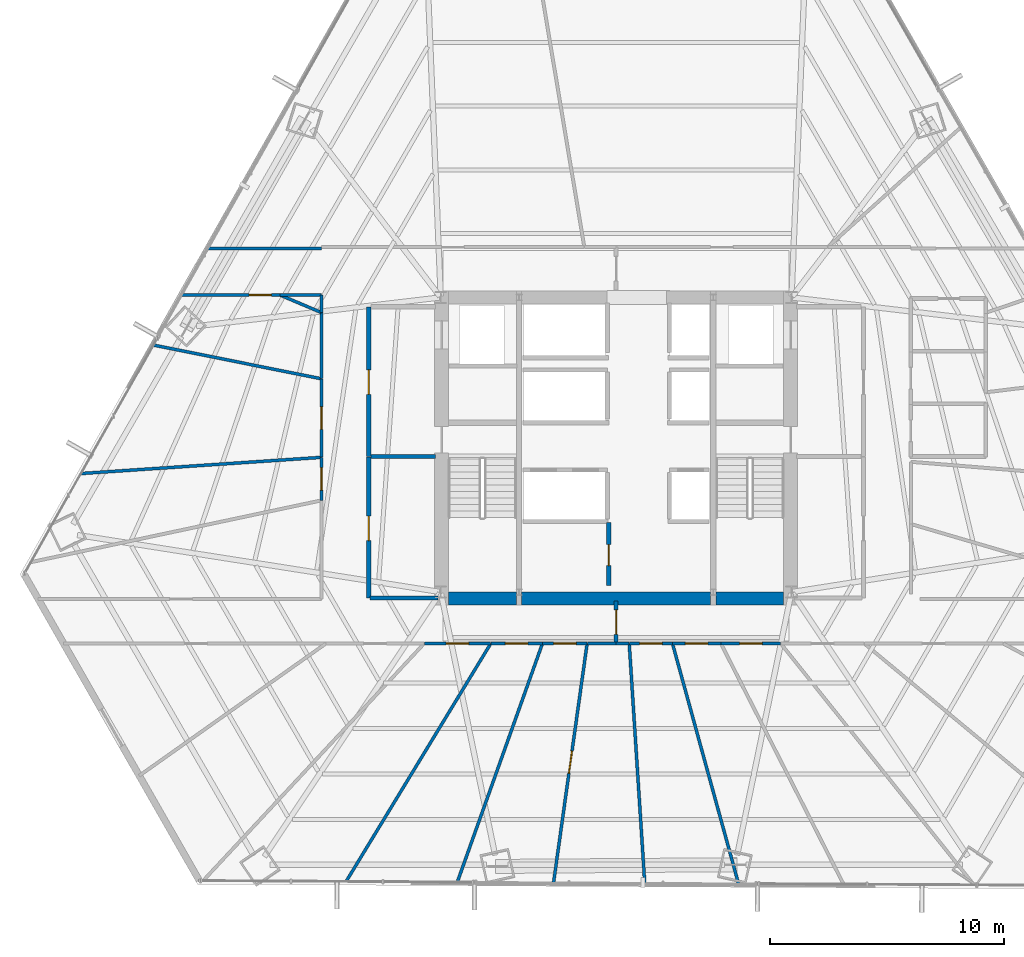
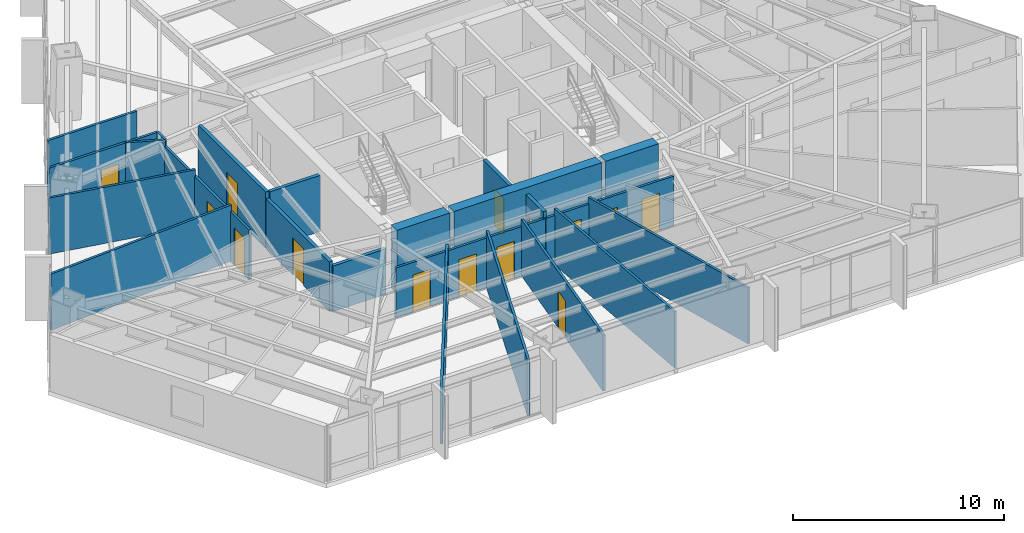
# One storey, part 33 of 39: 32 walls, 14 doors, 14 openings.
"""IFC4 building model written with IfcOpenShell, lengths in metres."""

from ifc_helpers import new_model, si_unit, direction, frame, frame_2d, origin, place, context, subcontext, project, spatial, rectangle, extrude, material, layer, layer_set, type_object, element, fill, save


model = new_model("IFC4")

# Units and contexts
model_context = context("Model", 3, precision=1e-05, world=origin(), true_north=direction((0.0, 1.0)))
body_context = subcontext(model_context, "Body", "Model", "MODEL_VIEW")
ifc_project = project(units=[si_unit("LENGTHUNIT", "METRE"), si_unit("AREAUNIT", "SQUARE_METRE"), si_unit("VOLUMEUNIT", "CUBIC_METRE"), si_unit("PLANEANGLEUNIT", "RADIAN"), si_unit("MASSUNIT", "GRAM", prefix="KILO")], contexts=[model_context])

# Site, building, storey
site_placement = place(None, origin())
site = spatial("IfcSite", under=ifc_project, at=site_placement, CompositionType="ELEMENT")
building_placement = place(site_placement, origin())
building = spatial("IfcBuilding", under=site, at=building_placement, Name="Caelisora Broadcast Tower", CompositionType="ELEMENT")
storey_placement = place(building_placement, frame((0.0, 0.0, 71.39990234375)))
storey = spatial("IfcBuildingStorey", under=building, at=storey_placement, Name="L18", CompositionType="ELEMENT", Elevation=71.39990234375)

# Walls
ifc_material_1 = material(Name="Concrete 65 MPa (AS 3600 S65)", Category="concrete")
ifc_layer_1 = layer(ifc_material_1, 0.550048828125, Name="Concrete 65 MPa (AS 3600 S65)")
ifc_layer_set_1 = layer_set([ifc_layer_1], Name="Concrete 65 MPa (AS 3600 S65)")
wall_type_1 = type_object("IfcWallType", Name="CW4", PredefinedType="SHEAR", material=ifc_layer_set_1)
wall_1_placement = place(storey_placement, frame((30.840087890625, 17.125, 0.0), z_axis=(0.0, 0.0, 1.0), x_axis=(1.0, 0.0, 0.0)))
element("IfcWall", 1, at=wall_1_placement, inside=storey, type_object=wall_type_1, Name="L18 core shear wall CW4", PredefinedType="SHEAR", context=body_context, shape_type="SweptSolid", body=[
    extrude(rectangle(XDim=2.89990234375, YDim=0.550048828125, at=frame_2d((1.449951171875, 0.0))), origin(), (0.0, 0.0, 1.0), 3.650146484375),
])
wall_2_placement = place(storey_placement, frame((33.9599609375, 17.125, 0.0), z_axis=(0.0, 0.0, 1.0), x_axis=(1.0, 0.0, 0.0)))
element("IfcWall", 2, at=wall_2_placement, inside=storey, type_object=wall_type_1, Name="L18 core shear wall CW4", PredefinedType="SHEAR", context=body_context, shape_type="SweptSolid", body=[
    extrude(rectangle(XDim=8.080078125, YDim=0.550048828125, at=frame_2d((4.0400390625, 0.0))), origin(), (0.0, 0.0, 1.0), 3.650146484375),
])
wall_3_placement = place(storey_placement, frame((42.260009765625, 17.125, 0.0), z_axis=(0.0, 0.0, 1.0), x_axis=(1.0, 0.0, 0.0)))
element("IfcWall", 3, at=wall_3_placement, inside=storey, type_object=wall_type_1, Name="L18 core shear wall CW4", PredefinedType="SHEAR", context=body_context, shape_type="SweptSolid", body=[
    extrude(rectangle(XDim=2.89990234375, YDim=0.550048828125, at=frame_2d((1.449951171875, 0.0))), origin(), (0.0, 0.0, 1.0), 3.650146484375),
])

# Wall, opening, door
ifc_material_2 = material(Name="Fire-Rated Gypsum Shaft and Compartment Wall", Category="gypsum")
ifc_layer_2 = layer(ifc_material_2, 0.179931640625, Name="Fire-Rated Gypsum Shaft and Compartment Wall")
ifc_layer_set_2 = layer_set([ifc_layer_2], Name="Fire-Rated Gypsum Shaft and Compartment Wall")
wall_type_2 = type_object("IfcWallType", Name="PW2", PredefinedType="PARTITIONING", material=ifc_layer_set_2)
wall_4_placement = place(storey_placement, frame((27.419921875, 23.199951171875, 0.0), z_axis=(0.0, 0.0, 1.0), x_axis=(0.0, 1.0, 0.0)))
wall_4 = element("IfcWall", 4, at=wall_4_placement, inside=storey, type_object=wall_type_2, Name="L18 fire compartment wall PW2", PredefinedType="PARTITIONING", context=body_context, shape_type="SweptSolid", body=[
    extrude(rectangle(XDim=6.400146484375, YDim=0.179931640625, at=frame_2d((3.2001953125, 0.0))), origin(), (0.0, 0.0, 1.0), 3.25),
])
opening_1_placement = place(wall_4_placement, frame((2.64990234375, 0.0, 0.0)))
opening_1 = element("IfcOpeningElement", 5, at=opening_1_placement, cuts=wall_4, Name="Opening FD02", PredefinedType="OPENING", context=body_context, shape_type="SweptSolid", body=[
    extrude(rectangle(XDim=1.050048828125, YDim=2.14990234375, at=frame_2d((0.52490234375, 1.074951171875))), frame((0.0, 0.10205078125, 0.0), z_axis=(0.0, -1.0, 0.0), x_axis=(1.0, 0.0, 0.0)), (0.0, 0.0, 1.0), 0.203857421875),
])
ifc_material_3 = material(Name="Single-Leaf Steel Fire Lobby Door", Category="steel")
door_type_1 = type_object("IfcDoorType", Name="FD02", OperationType="NOTDEFINED", PredefinedType="DOOR", material=ifc_material_3)
door_1_placement = place(opening_1_placement, origin())
door_1 = element("IfcDoor", 6, at=door_1_placement, inside=storey, type_object=door_type_1, Name="L18 door FD02 (L18-DR-P01D1)", OperationType="SINGLE_SWING_LEFT", OverallHeight=2.14990234375, OverallWidth=1.050048828125, PredefinedType="DOOR", context=body_context, shape_type="SweptSolid", body=[
    extrude(rectangle(XDim=1.050048828125, YDim=2.14990234375, at=frame_2d((0.52490234375, 1.074951171875))), frame((0.0, 0.02490234375, 0.0), z_axis=(0.0, -1.0, 0.0), x_axis=(1.0, 0.0, 0.0)), (0.0, 0.0, 1.0), 0.050048828125),
])
fill(opening_1, door_1)

# Wall
wall_5_placement = place(storey_placement, frame((27.52001953125, 23.199951171875, 0.0), z_axis=(0.0, 0.0, 1.0), x_axis=(1.0, 0.0, 0.0)))
element("IfcWall", 7, at=wall_5_placement, inside=storey, type_object=wall_type_2, Name="L18 fire compartment wall PW2", PredefinedType="PARTITIONING", context=body_context, shape_type="SweptSolid", body=[
    extrude(rectangle(XDim=2.760009765625, YDim=0.179931640625, at=frame_2d((1.3798828125, 0.0))), origin(), (0.0, 0.0, 1.0), 3.25),
])

# Wall, opening, door
wall_6_placement = place(storey_placement, frame((37.679931640625, 17.679931640625, 0.0), z_axis=(0.0, 0.0, 1.0), x_axis=(0.0, 1.0, 0.0)))
wall_6 = element("IfcWall", 8, at=wall_6_placement, inside=storey, type_object=wall_type_2, Name="L18 fire compartment wall PW2", PredefinedType="PARTITIONING", context=body_context, shape_type="SweptSolid", body=[
    extrude(rectangle(XDim=2.699951171875, YDim=0.179931640625, at=frame_2d((1.35009765625, 0.0))), origin(), (0.0, 0.0, 1.0), 3.25),
])
opening_2_placement = place(wall_6_placement, frame((0.85009765625, 0.0, 0.0)))
opening_2 = element("IfcOpeningElement", 9, at=opening_2_placement, cuts=wall_6, Name="Opening FD03", PredefinedType="OPENING", context=body_context, shape_type="SweptSolid", body=[
    extrude(rectangle(XDim=0.89990234375, YDim=2.10009765625, at=frame_2d((0.449951171875, 1.050048828125))), frame((0.0, 0.10205078125, 0.0), z_axis=(0.0, -1.0, 0.0), x_axis=(1.0, 0.0, 0.0)), (0.0, 0.0, 1.0), 0.203857421875),
])
ifc_material_4 = material(Name="Single-Leaf Steel Riser Fire Access Door", Category="steel")
door_type_2 = type_object("IfcDoorType", Name="FD03", OperationType="NOTDEFINED", PredefinedType="DOOR", material=ifc_material_4)
door_2_placement = place(opening_2_placement, origin())
door_2 = element("IfcDoor", 10, at=door_2_placement, inside=storey, type_object=door_type_2, Name="L18 door FD03 (L18-DR-P11D1)", OperationType="SINGLE_SWING_LEFT", OverallHeight=2.10009765625, OverallWidth=0.89990234375, PredefinedType="DOOR", context=body_context, shape_type="SweptSolid", body=[
    extrude(rectangle(XDim=0.89990234375, YDim=2.10009765625, at=frame_2d((0.449951171875, 1.050048828125))), frame((0.0, 0.02490234375, 0.0), z_axis=(0.0, -1.0, 0.0), x_axis=(1.0, 0.0, 0.0)), (0.0, 0.0, 1.0), 0.050048828125),
])
fill(opening_2, door_2)

wall_7_placement = place(storey_placement, frame((27.419921875, 17.14990234375, 0.0), z_axis=(0.0, 0.0, 1.0), x_axis=(0.0, 1.0, 0.0)))
wall_7 = element("IfcWall", 11, at=wall_7_placement, inside=storey, type_object=wall_type_2, Name="L18 fire compartment wall PW2", PredefinedType="PARTITIONING", context=body_context, shape_type="SweptSolid", body=[
    extrude(rectangle(XDim=6.030029296875, YDim=0.179931640625, at=frame_2d((3.01513671875, 0.0))), origin(), (0.0, 0.0, 1.0), 2.87646484375),
])
opening_3_placement = place(wall_7_placement, frame((2.449951171875, 0.0, 0.0)))
opening_3 = element("IfcOpeningElement", 12, at=opening_3_placement, cuts=wall_7, Name="Opening FD02", PredefinedType="OPENING", context=body_context, shape_type="SweptSolid", body=[
    extrude(rectangle(XDim=1.050048828125, YDim=2.14990234375, at=frame_2d((0.52490234375, 1.074951171875))), frame((0.0, 0.10205078125, 0.0), z_axis=(0.0, -1.0, 0.0), x_axis=(1.0, 0.0, 0.0)), (0.0, 0.0, 1.0), 0.203857421875),
])
door_3_placement = place(opening_3_placement, origin())
door_3 = element("IfcDoor", 13, at=door_3_placement, inside=storey, type_object=door_type_1, Name="L18 door FD02 (L18-DR-P12D1)", OperationType="SINGLE_SWING_RIGHT", OverallHeight=2.14990234375, OverallWidth=1.050048828125, PredefinedType="DOOR", context=body_context, shape_type="SweptSolid", body=[
    extrude(rectangle(XDim=1.050048828125, YDim=2.14990234375, at=frame_2d((0.52490234375, 1.074951171875))), frame((0.0, 0.02490234375, 0.0), z_axis=(0.0, -1.0, 0.0), x_axis=(1.0, 0.0, 0.0)), (0.0, 0.0, 1.0), 0.050048828125),
])
fill(opening_3, door_3)

# Wall
wall_8_placement = place(storey_placement, frame((27.47998046875, 17.14990234375, 0.0), z_axis=(0.0, 0.0, 1.0), x_axis=(1.0, 0.0, 0.0)))
element("IfcWall", 14, at=wall_8_placement, inside=storey, type_object=wall_type_2, Name="L18 fire compartment wall PW2", PredefinedType="PARTITIONING", context=body_context, shape_type="SweptSolid", body=[
    extrude(rectangle(XDim=2.89990234375, YDim=0.179931640625, at=frame_2d((1.449951171875, 0.0))), origin(), (0.0, 0.0, 1.0), 2.6328125),
])

# Wall, opening, door
wall_9_placement = place(storey_placement, frame((38.0, 15.205078125, 0.0), z_axis=(0.0, 0.0, 1.0), x_axis=(0.0, 1.0, 0.0)))
wall_9 = element("IfcWall", 15, at=wall_9_placement, inside=storey, type_object=wall_type_2, Name="L18 fire compartment wall PW2", PredefinedType="PARTITIONING", context=body_context, shape_type="SweptSolid", body=[
    extrude(rectangle(XDim=1.81982421875, YDim=0.179931640625, at=frame_2d((0.909912109375, 0.0))), origin(), (0.0, 0.0, 1.0), 3.25),
])
opening_4_placement = place(wall_9_placement, frame((0.385009765625, 0.0, 0.0)))
opening_4 = element("IfcOpeningElement", 16, at=opening_4_placement, cuts=wall_9, Name="Opening FD02", PredefinedType="OPENING", context=body_context, shape_type="SweptSolid", body=[
    extrude(rectangle(XDim=1.050048828125, YDim=2.14990234375, at=frame_2d((0.52490234375, 1.074951171875))), frame((0.0, 0.10205078125, 0.0), z_axis=(0.0, -1.0, 0.0), x_axis=(1.0, 0.0, 0.0)), (0.0, 0.0, 1.0), 0.203857421875),
])
door_4_placement = place(opening_4_placement, origin())
door_4 = element("IfcDoor", 17, at=door_4_placement, inside=storey, type_object=door_type_1, Name="L18 door FD02 (L18-DR-P73D1)", OperationType="SINGLE_SWING_RIGHT", OverallHeight=2.14990234375, OverallWidth=1.050048828125, PredefinedType="DOOR", context=body_context, shape_type="SweptSolid", body=[
    extrude(rectangle(XDim=1.050048828125, YDim=2.14990234375, at=frame_2d((0.52490234375, 1.074951171875))), frame((0.0, 0.02490234375, 0.0), z_axis=(0.0, -1.0, 0.0), x_axis=(1.0, 0.0, 0.0)), (0.0, 0.0, 1.0), 0.050048828125),
])
fill(opening_4, door_4)

# Walls
ifc_material_5 = material(Name="Acoustic Steel-Stud Plasterboard Partition", Category="gypsum")
ifc_layer_3 = layer(ifc_material_5, 0.1298828125, Name="Acoustic Steel-Stud Plasterboard Partition")
ifc_layer_set_3 = layer_set([ifc_layer_3], Name="Acoustic Steel-Stud Plasterboard Partition")
wall_type_3 = type_object("IfcWallType", Name="PW3", PredefinedType="PARTITIONING", material=ifc_layer_set_3)
wall_10_placement = place(storey_placement, frame((26.447509765625, 5.014404296875, 0.0), z_axis=(0.0, 0.0, 1.0), x_axis=(0.519452848137, 0.854499115601, 0.0)))
element("IfcWall", 18, at=wall_10_placement, inside=storey, type_object=wall_type_3, Name="L18 internal partition PW3", PredefinedType="PARTITIONING", context=body_context, shape_type="SweptSolid", body=[
    extrude(rectangle(XDim=11.915283203125, YDim=0.1298828125, at=frame_2d((5.95751953125, 0.0))), origin(), (0.0, 0.0, 1.0), 3.25),
])
wall_11_placement = place(storey_placement, frame((31.205078125, 4.988525390625, 0.0), z_axis=(0.0, 0.0, 1.0), x_axis=(0.336142301308, 0.941811208933, 0.0)))
element("IfcWall", 19, at=wall_11_placement, inside=storey, type_object=wall_type_3, Name="L18 internal partition PW3", PredefinedType="PARTITIONING", context=body_context, shape_type="SweptSolid", body=[
    extrude(rectangle(XDim=10.837158203125, YDim=0.1298828125, at=frame_2d((5.41845703125, 0.0))), origin(), (0.0, 0.0, 1.0), 3.25),
])
wall_12_placement = place(storey_placement, frame((40.410888671875, 15.195068359375, 0.0), z_axis=(0.0, 0.0, 1.0), x_axis=(0.265048349257, -0.964235123067, 0.0)))
element("IfcWall", 20, at=wall_12_placement, inside=storey, type_object=wall_type_3, Name="L18 internal partition PW3", PredefinedType="PARTITIONING", context=body_context, shape_type="SweptSolid", body=[
    extrude(rectangle(XDim=10.65283203125, YDim=0.1298828125, at=frame_2d((5.326416015625, 0.0))), origin(), (0.0, 0.0, 1.0), 3.25),
])

# Wall, opening, door
wall_13_placement = place(storey_placement, frame((35.323486328125, 4.96630859375, 0.0), z_axis=(0.0, 0.0, 1.0), x_axis=(0.138982121756, 0.990294890339, 0.0)))
wall_13 = element("IfcWall", 21, at=wall_13_placement, inside=storey, type_object=wall_type_3, Name="L18 internal partition PW3", PredefinedType="PARTITIONING", context=body_context, shape_type="SweptSolid", body=[
    extrude(rectangle(XDim=10.3291015625, YDim=0.1298828125, at=frame_2d((5.16455078125, 0.0))), origin(), (0.0, 0.0, 1.0), 3.25),
])
opening_5_placement = place(wall_13_placement, frame((4.73291015625, 0.0, 0.0)))
opening_5 = element("IfcOpeningElement", 22, at=opening_5_placement, cuts=wall_13, Name="Opening D01", PredefinedType="OPENING", context=body_context, shape_type="SweptSolid", body=[
    extrude(rectangle(XDim=0.9599609375, YDim=2.14990234375, at=frame_2d((0.47998046875, 1.074951171875))), frame((0.0, 0.076904296875, 0.0), z_axis=(0.0, -1.0, 0.0), x_axis=(1.0, 0.0, 0.0)), (0.0, 0.0, 1.0), 0.15380859375),
])
ifc_material_6 = material(Name="Solid-Core Timber Acoustic Office Door", Category="wood")
door_type_3 = type_object("IfcDoorType", Name="D01", OperationType="NOTDEFINED", PredefinedType="DOOR", material=ifc_material_6)
door_5_placement = place(opening_5_placement, origin())
door_5 = element("IfcDoor", 23, at=door_5_placement, inside=storey, type_object=door_type_3, Name="L18 door D01 (L18-DR-P43D1)", OperationType="SINGLE_SWING_RIGHT", OverallHeight=2.14990234375, OverallWidth=0.9599609375, PredefinedType="DOOR", context=body_context, shape_type="SweptSolid", body=[
    extrude(rectangle(XDim=0.9599609375, YDim=2.14990234375, at=frame_2d((0.47998046875, 1.074951171875))), frame((0.0, 0.02490234375, 0.0), z_axis=(0.0, -1.0, 0.0), x_axis=(1.0, 0.0, 0.0)), (0.0, 0.0, 1.0), 0.050048828125),
])
fill(opening_5, door_5)

# Walls
wall_14_placement = place(storey_placement, frame((15.108642578125, 22.46728515625, 0.0), z_axis=(0.0, 0.0, 1.0), x_axis=(0.997740719381, 0.067182266178, 0.0)))
element("IfcWall", 24, at=wall_14_placement, inside=storey, type_object=wall_type_3, Name="L18 internal partition PW3", PredefinedType="PARTITIONING", context=body_context, shape_type="SweptSolid", body=[
    extrude(rectangle(XDim=10.3095703125, YDim=0.1298828125, at=frame_2d((5.15478515625, 0.0))), origin(), (0.0, 0.0, 1.0), 3.25),
])
wall_15_placement = place(storey_placement, frame((38.56005859375, 15.195068359375, 0.0), z_axis=(0.0, 0.0, 1.0), x_axis=(0.064627377992, -0.99790946584, 0.0)))
element("IfcWall", 25, at=wall_15_placement, inside=storey, type_object=wall_type_3, Name="L18 internal partition PW3", PredefinedType="PARTITIONING", context=body_context, shape_type="SweptSolid", body=[
    extrude(rectangle(XDim=10.271484375, YDim=0.1298828125, at=frame_2d((5.1357421875, 0.0))), origin(), (0.0, 0.0, 1.0), 3.25),
])
wall_16_placement = place(storey_placement, frame((18.212890625, 27.96142578125, 0.0), z_axis=(0.0, 0.0, 1.0), x_axis=(0.980475419992, -0.196641681214, 0.0)))
element("IfcWall", 26, at=wall_16_placement, inside=storey, type_object=wall_type_3, Name="L18 internal partition PW3", PredefinedType="PARTITIONING", context=body_context, shape_type="SweptSolid", body=[
    extrude(rectangle(XDim=7.3251953125, YDim=0.1298828125, at=frame_2d((3.66259765625, 0.0))), origin(), (0.0, 0.0, 1.0), 3.25),
])
wall_17_placement = place(storey_placement, frame((20.55126953125, 32.10009765625, 0.0), z_axis=(0.0, 0.0, 1.0), x_axis=(1.0, 0.0, 0.0)))
element("IfcWall", 27, at=wall_17_placement, inside=storey, type_object=wall_type_3, Name="L18 internal partition PW3", PredefinedType="PARTITIONING", context=body_context, shape_type="SweptSolid", body=[
    extrude(rectangle(XDim=4.84375, YDim=0.1298828125, at=frame_2d((2.421875, 0.0))), origin(), (0.0, 0.0, 1.0), 3.25),
])

# Wall, opening, door
wall_18_placement = place(storey_placement, frame((19.421142578125, 30.10009765625, 0.0), z_axis=(0.0, 0.0, 1.0), x_axis=(1.0, 0.0, 0.0)))
wall_18 = element("IfcWall", 28, at=wall_18_placement, inside=storey, type_object=wall_type_3, Name="L18 internal partition PW3", PredefinedType="PARTITIONING", context=body_context, shape_type="SweptSolid", body=[
    extrude(rectangle(XDim=4.203857421875, YDim=0.1298828125, at=frame_2d((2.10205078125, 0.0))), origin(), (0.0, 0.0, 1.0), 3.25),
])
opening_6_placement = place(wall_18_placement, frame((2.8798828125, 0.0, 0.0)))
opening_6 = element("IfcOpeningElement", 29, at=opening_6_placement, cuts=wall_18, Name="Opening D01", PredefinedType="OPENING", context=body_context, shape_type="SweptSolid", body=[
    extrude(rectangle(XDim=0.9599609375, YDim=2.14990234375, at=frame_2d((0.47998046875, 1.074951171875))), frame((0.0, 0.076904296875, 0.0), z_axis=(0.0, -1.0, 0.0), x_axis=(1.0, 0.0, 0.0)), (0.0, 0.0, 1.0), 0.15380859375),
])
door_6_placement = place(opening_6_placement, origin())
door_6 = element("IfcDoor", 30, at=door_6_placement, inside=storey, type_object=door_type_3, Name="L18 door D01 (L18-DR-P56D1)", OperationType="SINGLE_SWING_RIGHT", OverallHeight=2.14990234375, OverallWidth=0.9599609375, PredefinedType="DOOR", context=body_context, shape_type="SweptSolid", body=[
    extrude(rectangle(XDim=0.9599609375, YDim=2.14990234375, at=frame_2d((0.47998046875, 1.074951171875))), frame((0.0, 0.02490234375, 0.0), z_axis=(0.0, -1.0, 0.0), x_axis=(1.0, 0.0, 0.0)), (0.0, 0.0, 1.0), 0.050048828125),
])
fill(opening_6, door_6)

wall_19_placement = place(storey_placement, frame((25.39990234375, 23.1650390625, 0.0), z_axis=(0.0, 0.0, 1.0), x_axis=(0.0, 1.0, 0.0)))
wall_19 = element("IfcWall", 31, at=wall_19_placement, inside=storey, type_object=wall_type_3, Name="L18 internal partition PW3", PredefinedType="PARTITIONING", context=body_context, shape_type="SweptSolid", body=[
    extrude(rectangle(XDim=3.349853515625, YDim=0.1298828125, at=frame_2d((1.6748046875, 0.0))), origin(), (0.0, 0.0, 1.0), 2.87646484375),
])
opening_7_placement = place(wall_19_placement, frame((1.195068359375, 0.0, 0.0)))
opening_7 = element("IfcOpeningElement", 32, at=opening_7_placement, cuts=wall_19, Name="Opening D01", PredefinedType="OPENING", context=body_context, shape_type="SweptSolid", body=[
    extrude(rectangle(XDim=0.9599609375, YDim=2.14990234375, at=frame_2d((0.47998046875, 1.074951171875))), frame((0.0, 0.076904296875, 0.0), z_axis=(0.0, -1.0, 0.0), x_axis=(1.0, 0.0, 0.0)), (0.0, 0.0, 1.0), 0.15380859375),
])
door_7_placement = place(opening_7_placement, origin())
door_7 = element("IfcDoor", 33, at=door_7_placement, inside=storey, type_object=door_type_3, Name="L18 door D01 (L18-DR-P61D1)", OperationType="SINGLE_SWING_LEFT", OverallHeight=2.14990234375, OverallWidth=0.9599609375, PredefinedType="DOOR", context=body_context, shape_type="SweptSolid", body=[
    extrude(rectangle(XDim=0.9599609375, YDim=2.14990234375, at=frame_2d((0.47998046875, 1.074951171875))), frame((0.0, 0.02490234375, 0.0), z_axis=(0.0, -1.0, 0.0), x_axis=(1.0, 0.0, 0.0)), (0.0, 0.0, 1.0), 0.050048828125),
])
fill(opening_7, door_7)

wall_20_placement = place(storey_placement, frame((29.794921875, 15.199951171875, 0.0), z_axis=(0.0, 0.0, 1.0), x_axis=(1.0, 0.0, 0.0)))
wall_20 = element("IfcWall", 34, at=wall_20_placement, inside=storey, type_object=wall_type_3, Name="L18 internal partition PW3", PredefinedType="PARTITIONING", context=body_context, shape_type="SweptSolid", body=[
    extrude(rectangle(XDim=2.840087890625, YDim=0.1298828125, at=frame_2d((1.419921875, 0.0))), origin(), (0.0, 0.0, 1.0), 2.87646484375),
])
opening_8_placement = place(wall_20_placement, frame((0.93994140625, 0.0, 0.0)))
opening_8 = element("IfcOpeningElement", 35, at=opening_8_placement, cuts=wall_20, Name="Opening D01", PredefinedType="OPENING", context=body_context, shape_type="SweptSolid", body=[
    extrude(rectangle(XDim=0.9599609375, YDim=2.14990234375, at=frame_2d((0.47998046875, 1.074951171875))), frame((0.0, 0.076904296875, 0.0), z_axis=(0.0, -1.0, 0.0), x_axis=(1.0, 0.0, 0.0)), (0.0, 0.0, 1.0), 0.15380859375),
])
door_8_placement = place(opening_8_placement, origin())
door_8 = element("IfcDoor", 36, at=door_8_placement, inside=storey, type_object=door_type_3, Name="L18 door D01 (L18-DR-P63D1)", OperationType="SINGLE_SWING_RIGHT", OverallHeight=2.14990234375, OverallWidth=0.9599609375, PredefinedType="DOOR", context=body_context, shape_type="SweptSolid", body=[
    extrude(rectangle(XDim=0.9599609375, YDim=2.14990234375, at=frame_2d((0.47998046875, 1.074951171875))), frame((0.0, 0.02490234375, 0.0), z_axis=(0.0, -1.0, 0.0), x_axis=(1.0, 0.0, 0.0)), (0.0, 0.0, 1.0), 0.050048828125),
])
fill(opening_8, door_8)

# Wall
wall_21_placement = place(storey_placement, frame((25.39990234375, 26.52490234375, 0.0), z_axis=(0.0, 0.0, 1.0), x_axis=(0.0, 1.0, 0.0)))
element("IfcWall", 37, at=wall_21_placement, inside=storey, type_object=wall_type_3, Name="L18 internal partition PW3", PredefinedType="PARTITIONING", context=body_context, shape_type="SweptSolid", body=[
    extrude(rectangle(XDim=2.820068359375, YDim=0.1298828125, at=frame_2d((1.41015625, 0.0))), origin(), (0.0, 0.0, 1.0), 2.87646484375),
])

# Wall, opening, door
wall_22_placement = place(storey_placement, frame((42.485107421875, 15.199951171875, 0.0), z_axis=(0.0, 0.0, 1.0), x_axis=(1.0, 0.0, 0.0)))
wall_22 = element("IfcWall", 38, at=wall_22_placement, inside=storey, type_object=wall_type_3, Name="L18 internal partition PW3", PredefinedType="PARTITIONING", context=body_context, shape_type="SweptSolid", body=[
    extrude(rectangle(XDim=2.5498046875, YDim=0.1298828125, at=frame_2d((1.27490234375, 0.0))), origin(), (0.0, 0.0, 1.0), 2.87646484375),
])
opening_9_placement = place(wall_22_placement, frame((0.794921875, 0.0, 0.0)))
opening_9 = element("IfcOpeningElement", 39, at=opening_9_placement, cuts=wall_22, Name="Opening D01", PredefinedType="OPENING", context=body_context, shape_type="SweptSolid", body=[
    extrude(rectangle(XDim=0.9599609375, YDim=2.14990234375, at=frame_2d((0.47998046875, 1.074951171875))), frame((0.0, 0.076904296875, 0.0), z_axis=(0.0, -1.0, 0.0), x_axis=(1.0, 0.0, 0.0)), (0.0, 0.0, 1.0), 0.15380859375),
])
door_9_placement = place(opening_9_placement, origin())
door_9 = element("IfcDoor", 40, at=door_9_placement, inside=storey, type_object=door_type_3, Name="L18 door D01 (L18-DR-P67D1)", OperationType="SINGLE_SWING_RIGHT", OverallHeight=2.14990234375, OverallWidth=0.9599609375, PredefinedType="DOOR", context=body_context, shape_type="SweptSolid", body=[
    extrude(rectangle(XDim=0.9599609375, YDim=2.14990234375, at=frame_2d((0.47998046875, 1.074951171875))), frame((0.0, 0.02490234375, 0.0), z_axis=(0.0, -1.0, 0.0), x_axis=(1.0, 0.0, 0.0)), (0.0, 0.0, 1.0), 0.050048828125),
])
fill(opening_9, door_9)

wall_23_placement = place(storey_placement, frame((32.64501953125, 15.199951171875, 0.0), z_axis=(0.0, 0.0, 1.0), x_axis=(1.0, 0.0, 0.0)))
wall_23 = element("IfcWall", 41, at=wall_23_placement, inside=storey, type_object=wall_type_3, Name="L18 internal partition PW3", PredefinedType="PARTITIONING", context=body_context, shape_type="SweptSolid", body=[
    extrude(rectangle(XDim=2.199951171875, YDim=0.1298828125, at=frame_2d((1.10009765625, 0.0))), origin(), (0.0, 0.0, 1.0), 2.87646484375),
])
opening_10_placement = place(wall_23_placement, frame((0.6201171875, 0.0, 0.0)))
opening_10 = element("IfcOpeningElement", 42, at=opening_10_placement, cuts=wall_23, Name="Opening D01", PredefinedType="OPENING", context=body_context, shape_type="SweptSolid", body=[
    extrude(rectangle(XDim=0.9599609375, YDim=2.14990234375, at=frame_2d((0.47998046875, 1.074951171875))), frame((0.0, 0.076904296875, 0.0), z_axis=(0.0, -1.0, 0.0), x_axis=(1.0, 0.0, 0.0)), (0.0, 0.0, 1.0), 0.15380859375),
])
door_10_placement = place(opening_10_placement, origin())
door_10 = element("IfcDoor", 43, at=door_10_placement, inside=storey, type_object=door_type_3, Name="L18 door D01 (L18-DR-P69D1)", OperationType="SINGLE_SWING_LEFT", OverallHeight=2.14990234375, OverallWidth=0.9599609375, PredefinedType="DOOR", context=body_context, shape_type="SweptSolid", body=[
    extrude(rectangle(XDim=0.9599609375, YDim=2.14990234375, at=frame_2d((0.47998046875, 1.074951171875))), frame((0.0, 0.02490234375, 0.0), z_axis=(0.0, -1.0, 0.0), x_axis=(1.0, 0.0, 0.0)), (0.0, 0.0, 1.0), 0.050048828125),
])
fill(opening_10, door_10)

wall_24_placement = place(storey_placement, frame((40.4150390625, 15.199951171875, 0.0), z_axis=(0.0, 0.0, 1.0), x_axis=(1.0, 0.0, 0.0)))
wall_24 = element("IfcWall", 44, at=wall_24_placement, inside=storey, type_object=wall_type_3, Name="L18 internal partition PW3", PredefinedType="PARTITIONING", context=body_context, shape_type="SweptSolid", body=[
    extrude(rectangle(XDim=2.06005859375, YDim=0.1298828125, at=frame_2d((1.030029296875, 0.0))), origin(), (0.0, 0.0, 1.0), 2.87646484375),
])
opening_11_placement = place(wall_24_placement, frame((0.550048828125, 0.0, 0.0)))
opening_11 = element("IfcOpeningElement", 45, at=opening_11_placement, cuts=wall_24, Name="Opening D01", PredefinedType="OPENING", context=body_context, shape_type="SweptSolid", body=[
    extrude(rectangle(XDim=0.9599609375, YDim=2.14990234375, at=frame_2d((0.47998046875, 1.074951171875))), frame((0.0, 0.076904296875, 0.0), z_axis=(0.0, -1.0, 0.0), x_axis=(1.0, 0.0, 0.0)), (0.0, 0.0, 1.0), 0.15380859375),
])
door_11_placement = place(opening_11_placement, origin())
door_11 = element("IfcDoor", 46, at=door_11_placement, inside=storey, type_object=door_type_3, Name="L18 door D01 (L18-DR-P70D1)", OperationType="SINGLE_SWING_RIGHT", OverallHeight=2.14990234375, OverallWidth=0.9599609375, PredefinedType="DOOR", context=body_context, shape_type="SweptSolid", body=[
    extrude(rectangle(XDim=0.9599609375, YDim=2.14990234375, at=frame_2d((0.47998046875, 1.074951171875))), frame((0.0, 0.02490234375, 0.0), z_axis=(0.0, -1.0, 0.0), x_axis=(1.0, 0.0, 0.0)), (0.0, 0.0, 1.0), 0.050048828125),
])
fill(opening_11, door_11)

# Wall
wall_25_placement = place(storey_placement, frame((23.635009765625, 30.097900390625, 0.0), z_axis=(0.0, 0.0, 1.0), x_axis=(0.920736167048, -0.390185738706, 0.0)))
element("IfcWall", 47, at=wall_25_placement, inside=storey, type_object=wall_type_3, Name="L18 internal partition PW3", PredefinedType="PARTITIONING", context=body_context, shape_type="SweptSolid", body=[
    extrude(rectangle(XDim=1.91162109375, YDim=0.1298828125, at=frame_2d((0.955810546875, 0.0))), origin(), (0.0, 0.0, 1.0), 3.25),
])

# Wall, opening, door
wall_26_placement = place(storey_placement, frame((34.85498046875, 15.199951171875, 0.0), z_axis=(0.0, 0.0, 1.0), x_axis=(1.0, 0.0, 0.0)))
wall_26 = element("IfcWall", 48, at=wall_26_placement, inside=storey, type_object=wall_type_3, Name="L18 internal partition PW3", PredefinedType="PARTITIONING", context=body_context, shape_type="SweptSolid", body=[
    extrude(rectangle(XDim=1.89990234375, YDim=0.1298828125, at=frame_2d((0.949951171875, 0.0))), origin(), (0.0, 0.0, 1.0), 2.87646484375),
])
opening_12_placement = place(wall_26_placement, frame((0.469970703125, 0.0, 0.0)))
opening_12 = element("IfcOpeningElement", 49, at=opening_12_placement, cuts=wall_26, Name="Opening D01", PredefinedType="OPENING", context=body_context, shape_type="SweptSolid", body=[
    extrude(rectangle(XDim=0.9599609375, YDim=2.14990234375, at=frame_2d((0.47998046875, 1.074951171875))), frame((0.0, 0.076904296875, 0.0), z_axis=(0.0, -1.0, 0.0), x_axis=(1.0, 0.0, 0.0)), (0.0, 0.0, 1.0), 0.15380859375),
])
door_12_placement = place(opening_12_placement, origin())
door_12 = element("IfcDoor", 50, at=door_12_placement, inside=storey, type_object=door_type_3, Name="L18 door D01 (L18-DR-P72D1)", OperationType="SINGLE_SWING_LEFT", OverallHeight=2.14990234375, OverallWidth=0.9599609375, PredefinedType="DOOR", context=body_context, shape_type="SweptSolid", body=[
    extrude(rectangle(XDim=0.9599609375, YDim=2.14990234375, at=frame_2d((0.47998046875, 1.074951171875))), frame((0.0, 0.02490234375, 0.0), z_axis=(0.0, -1.0, 0.0), x_axis=(1.0, 0.0, 0.0)), (0.0, 0.0, 1.0), 0.050048828125),
])
fill(opening_12, door_12)

wall_27_placement = place(storey_placement, frame((38.56494140625, 15.199951171875, 0.0), z_axis=(0.0, 0.0, 1.0), x_axis=(1.0, 0.0, 0.0)))
wall_27 = element("IfcWall", 51, at=wall_27_placement, inside=storey, type_object=wall_type_3, Name="L18 internal partition PW3", PredefinedType="PARTITIONING", context=body_context, shape_type="SweptSolid", body=[
    extrude(rectangle(XDim=1.840087890625, YDim=0.1298828125, at=frame_2d((0.919921875, 0.0))), origin(), (0.0, 0.0, 1.0), 2.87646484375),
])
opening_13_placement = place(wall_27_placement, frame((0.43994140625, 0.0, 0.0)))
opening_13 = element("IfcOpeningElement", 52, at=opening_13_placement, cuts=wall_27, Name="Opening D01", PredefinedType="OPENING", context=body_context, shape_type="SweptSolid", body=[
    extrude(rectangle(XDim=0.9599609375, YDim=2.14990234375, at=frame_2d((0.47998046875, 1.074951171875))), frame((0.0, 0.076904296875, 0.0), z_axis=(0.0, -1.0, 0.0), x_axis=(1.0, 0.0, 0.0)), (0.0, 0.0, 1.0), 0.15380859375),
])
door_13_placement = place(opening_13_placement, origin())
door_13 = element("IfcDoor", 53, at=door_13_placement, inside=storey, type_object=door_type_3, Name="L18 door D01 (L18-DR-P75D1)", OperationType="SINGLE_SWING_RIGHT", OverallHeight=2.14990234375, OverallWidth=0.9599609375, PredefinedType="DOOR", context=body_context, shape_type="SweptSolid", body=[
    extrude(rectangle(XDim=0.9599609375, YDim=2.14990234375, at=frame_2d((0.47998046875, 1.074951171875))), frame((0.0, 0.02490234375, 0.0), z_axis=(0.0, -1.0, 0.0), x_axis=(1.0, 0.0, 0.0)), (0.0, 0.0, 1.0), 0.050048828125),
])
fill(opening_13, door_13)

wall_28_placement = place(storey_placement, frame((25.39990234375, 21.324951171875, 0.0), z_axis=(0.0, 0.0, 1.0), x_axis=(0.0, 1.0, 0.0)))
wall_28 = element("IfcWall", 54, at=wall_28_placement, inside=storey, type_object=wall_type_3, Name="L18 internal partition PW3", PredefinedType="PARTITIONING", context=body_context, shape_type="SweptSolid", body=[
    extrude(rectangle(XDim=1.830078125, YDim=0.1298828125, at=frame_2d((0.9150390625, 0.0))), origin(), (0.0, 0.0, 1.0), 2.87646484375),
])
opening_14_placement = place(wall_28_placement, frame((0.43505859375, 0.0, 0.0)))
opening_14 = element("IfcOpeningElement", 55, at=opening_14_placement, cuts=wall_28, Name="Opening D01", PredefinedType="OPENING", context=body_context, shape_type="SweptSolid", body=[
    extrude(rectangle(XDim=0.9599609375, YDim=2.14990234375, at=frame_2d((0.47998046875, 1.074951171875))), frame((0.0, 0.076904296875, 0.0), z_axis=(0.0, -1.0, 0.0), x_axis=(1.0, 0.0, 0.0)), (0.0, 0.0, 1.0), 0.15380859375),
])
door_14_placement = place(opening_14_placement, origin())
door_14 = element("IfcDoor", 56, at=door_14_placement, inside=storey, type_object=door_type_3, Name="L18 door D01 (L18-DR-P76D1)", OperationType="SINGLE_SWING_LEFT", OverallHeight=2.14990234375, OverallWidth=0.9599609375, PredefinedType="DOOR", context=body_context, shape_type="SweptSolid", body=[
    extrude(rectangle(XDim=0.9599609375, YDim=2.14990234375, at=frame_2d((0.47998046875, 1.074951171875))), frame((0.0, 0.02490234375, 0.0), z_axis=(0.0, -1.0, 0.0), x_axis=(1.0, 0.0, 0.0)), (0.0, 0.0, 1.0), 0.050048828125),
])
fill(opening_14, door_14)

# Walls
wall_29_placement = place(storey_placement, frame((25.39501953125, 30.10009765625, 0.0), z_axis=(0.0, 0.0, 1.0), x_axis=(-1.0, 0.0, 0.0)))
element("IfcWall", 57, at=wall_29_placement, inside=storey, type_object=wall_type_3, Name="L18 internal partition PW3", PredefinedType="PARTITIONING", context=body_context, shape_type="SweptSolid", body=[
    extrude(rectangle(XDim=1.760009765625, YDim=0.1298828125, at=frame_2d((0.8798828125, 0.0))), origin(), (0.0, 0.0, 1.0), 3.25),
])
wall_30_placement = place(storey_placement, frame((36.764892578125, 15.199951171875, 0.0), z_axis=(0.0, 0.0, 1.0), x_axis=(1.0, 0.0, 0.0)))
element("IfcWall", 58, at=wall_30_placement, inside=storey, type_object=wall_type_3, Name="L18 internal partition PW3", PredefinedType="PARTITIONING", context=body_context, shape_type="SweptSolid", body=[
    extrude(rectangle(XDim=1.230224609375, YDim=0.1298828125, at=frame_2d((0.615234375, 0.0))), origin(), (0.0, 0.0, 1.0), 2.87646484375),
])
wall_31_placement = place(storey_placement, frame((25.39990234375, 29.35498046875, 0.0), z_axis=(0.0, 0.0, 1.0), x_axis=(0.0, 1.0, 0.0)))
element("IfcWall", 59, at=wall_31_placement, inside=storey, type_object=wall_type_3, Name="L18 internal partition PW3", PredefinedType="PARTITIONING", context=body_context, shape_type="SweptSolid", body=[
    extrude(rectangle(XDim=0.739990234375, YDim=0.1298828125, at=frame_2d((0.3701171875, 0.0))), origin(), (0.0, 0.0, 1.0), 3.25),
])
wall_32_placement = place(storey_placement, frame((38.0048828125, 15.199951171875, 0.0), z_axis=(0.0, 0.0, 1.0), x_axis=(1.0, 0.0, 0.0)))
element("IfcWall", 60, at=wall_32_placement, inside=storey, type_object=wall_type_3, Name="L18 internal partition PW3", PredefinedType="PARTITIONING", context=body_context, shape_type="SweptSolid", body=[
    extrude(rectangle(XDim=0.550048828125, YDim=0.1298828125, at=frame_2d((0.27490234375, 0.0))), origin(), (0.0, 0.0, 1.0), 2.87646484375),
])

save(model, "model.ifc")
